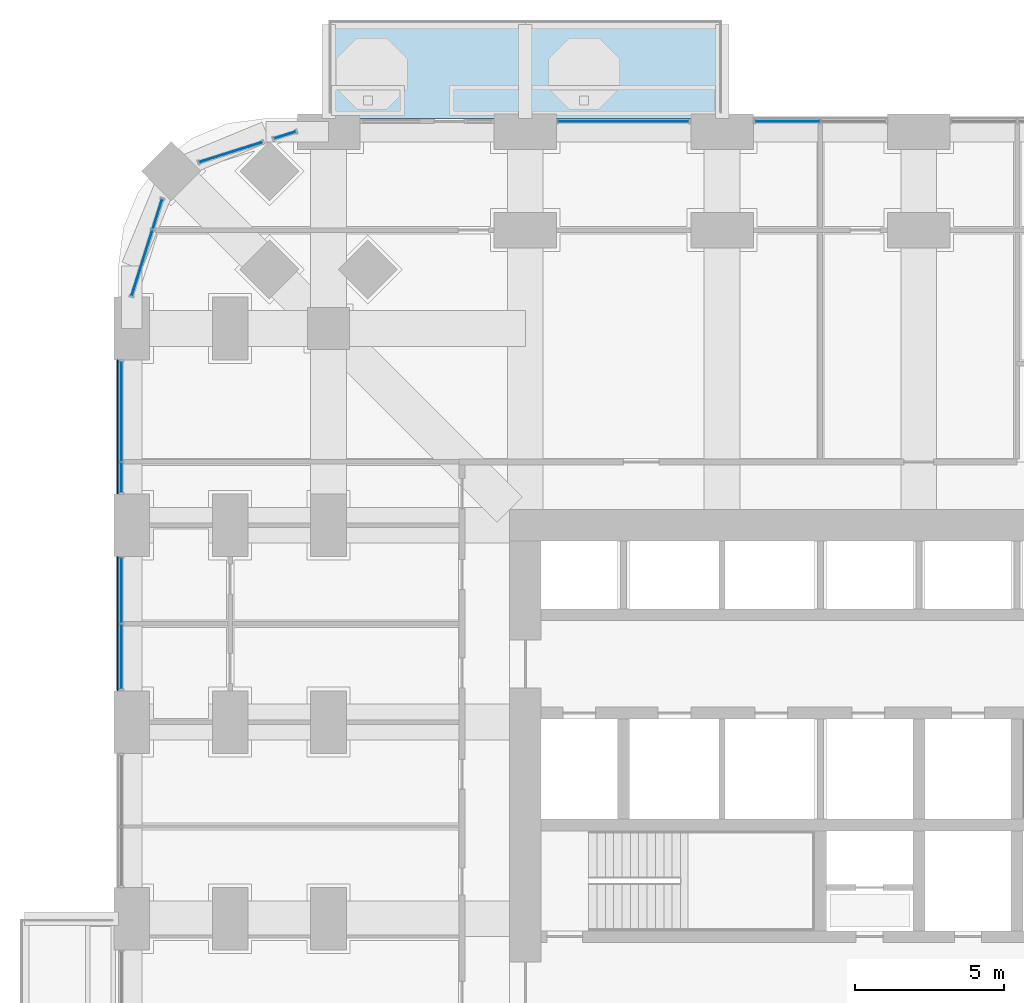
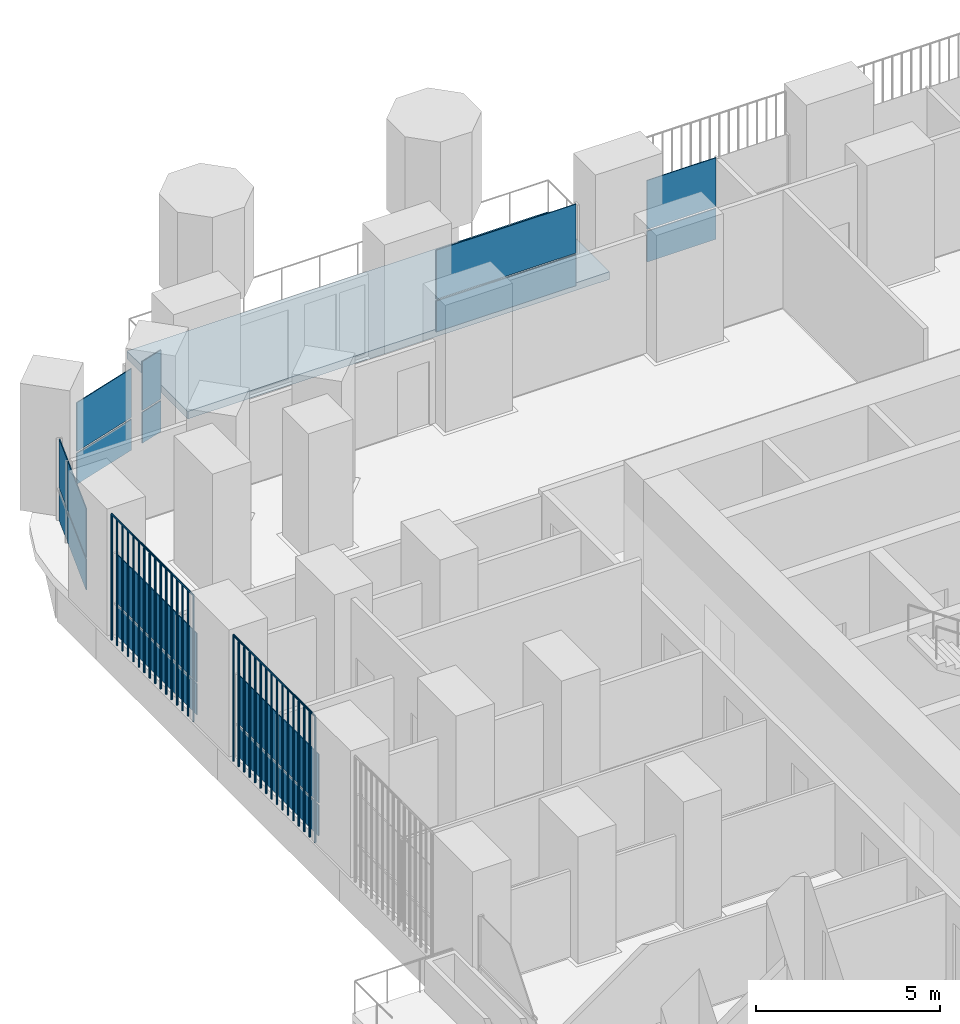
# One storey, part 15 of 27: 22 plates, 1 slab, 7 elements without a shape of their own.
"""IFC4 building model written with IfcOpenShell, lengths in metres."""

from ifc_helpers import new_model, si_unit, direction, frame, origin, origin_2d, place, context, subcontext, project, spatial, polyline, rectangle, outline, extrude, material, layer, layer_set, type_object, element, aggregate, save


model = new_model("IFC4")

# Units and contexts
model_context = context("Model", 3, precision=1e-05, world=origin(), true_north=direction((0.0, 1.0)))
body_context = subcontext(model_context, "Body", "Model", "MODEL_VIEW")
ifc_project = project(units=[si_unit("LENGTHUNIT", "METRE"), si_unit("AREAUNIT", "SQUARE_METRE"), si_unit("VOLUMEUNIT", "CUBIC_METRE"), si_unit("PLANEANGLEUNIT", "RADIAN"), si_unit("MASSUNIT", "GRAM", prefix="KILO")], contexts=[model_context])

# Site, building, storey
site_placement = place(None, origin())
site = spatial("IfcSite", under=ifc_project, at=site_placement, CompositionType="ELEMENT")
building_placement = place(site_placement, origin())
building = spatial("IfcBuilding", under=site, at=building_placement, Name="Cobogo Forest Laboratory Tower", CompositionType="ELEMENT")
storey_placement = place(building_placement, frame((0.0, 0.0, 38.10009765625)))
storey = spatial("IfcBuildingStorey", under=building, at=storey_placement, Name="L08", CompositionType="ELEMENT", Elevation=38.10009765625)

# Slab
ifc_material_1 = material(Name="Concrete HA-40 (C40/50)", Category="concrete")
ifc_layer_1 = layer(ifc_material_1, 0.25)
ifc_layer_set_1 = layer_set([ifc_layer_1], Name="Balcony slab 250")
slab_type = type_object("IfcSlabType", Name="Balcony slab 250", PredefinedType="FLOOR", material=ifc_layer_set_1)
slab_placement = place(storey_placement, frame((0.0, 0.0, -0.25)))
element("IfcSlab", 1, at=slab_placement, inside=storey, type_object=slab_type, Name="Balcony BAL-N1 L08", PredefinedType="FLOOR", context=body_context, shape_type="SweptSolid", body=[
    extrude(outline(polyline([(6.60009765625, 46.64990234375), (19.800048828125, 46.64990234375), (19.800048828125, 49.949951171875), (6.60009765625, 49.949951171875), (6.60009765625, 46.64990234375)])), origin(), (0.0, 0.0, 1.0), 0.25),
])

# Curtain wall, plates
ifc_material_2 = material(Name="Aluminium curtain wall", Category="aluminium")
curtain_wall_type = type_object("IfcCurtainWallType", Name="CW-1 unitised curtain wall, clear glazing, laboratory floors zones A and B", PredefinedType="USERDEFINED", material=ifc_material_2)
curtain_wall_1_placement = place(storey_placement, origin())
curtain_wall_1 = element("IfcCurtainWall", 2, at=curtain_wall_1_placement, inside=storey, type_object=curtain_wall_type, Name="Curtain wall 21 L08", ObjectType="UNITISED CURTAIN WALL", PredefinedType="USERDEFINED")
ifc_material_3 = material(Name="Clear insulated glass", Category="glass")
ifc_layer_2 = layer(ifc_material_3, 0.028076171875)
ifc_layer_set_2 = layer_set([ifc_layer_2], Name="GP-1 clear insulated glass unit 28")
plate_type_1 = type_object("IfcPlateType", Name="GP-1 clear insulated glass unit 28", PredefinedType="CURTAIN_PANEL", material=ifc_layer_set_2)
plate_1_placement = place(storey_placement, frame((21.989990234375, 46.550048828125, 0.0), z_axis=(0.0, 0.0, 1.0), x_axis=(-1.0, 0.0, 0.0)))
plate_1 = element("IfcPlate", 3, at=plate_1_placement, type_object=plate_type_1, Name="CW-1 panel 2.1", PredefinedType="CURTAIN_PANEL", context=body_context, shape_type="SweptSolid", body=[
    extrude(rectangle(XDim=2.159912109375, YDim=0.028076171875, at=origin_2d()), origin(), (0.0, 0.0, 1.0), 1.02001953125),
])
plate_2_placement = place(storey_placement, frame((21.989990234375, 46.550048828125, 1.079833984375), z_axis=(0.0, 0.0, 1.0), x_axis=(-1.0, 0.0, 0.0)))
plate_2 = element("IfcPlate", 4, at=plate_2_placement, type_object=plate_type_1, Name="CW-1 panel 2.2", PredefinedType="CURTAIN_PANEL", context=body_context, shape_type="SweptSolid", body=[
    extrude(rectangle(XDim=2.159912109375, YDim=0.028076171875, at=origin_2d()), origin(), (0.0, 0.0, 1.0), 1.6201171875),
])
aggregate(curtain_wall_1, [plate_1, plate_2])

curtain_wall_2_placement = place(storey_placement, origin())
curtain_wall_2 = element("IfcCurtainWall", 5, at=curtain_wall_2_placement, inside=storey, type_object=curtain_wall_type, Name="Curtain wall 22 L08", ObjectType="UNITISED CURTAIN WALL", PredefinedType="USERDEFINED")
plate_3_placement = place(storey_placement, frame((16.5, 46.550048828125, 0.0), z_axis=(0.0, 0.0, 1.0), x_axis=(-1.0, 0.0, 0.0)))
plate_3 = element("IfcPlate", 6, at=plate_3_placement, type_object=plate_type_1, Name="CW-1 panel 1.1", PredefinedType="CURTAIN_PANEL", context=body_context, shape_type="SweptSolid", body=[
    extrude(rectangle(XDim=4.3798828125, YDim=0.028076171875, at=origin_2d()), origin(), (0.0, 0.0, 1.0), 1.02001953125),
])
plate_4_placement = place(storey_placement, frame((16.5, 46.550048828125, 1.079833984375), z_axis=(0.0, 0.0, 1.0), x_axis=(-1.0, 0.0, 0.0)))
plate_4 = element("IfcPlate", 7, at=plate_4_placement, type_object=plate_type_1, Name="CW-1 panel 1.2", PredefinedType="CURTAIN_PANEL", context=body_context, shape_type="SweptSolid", body=[
    extrude(rectangle(XDim=4.3798828125, YDim=0.028076171875, at=origin_2d()), origin(), (0.0, 0.0, 1.0), 1.6201171875),
])
aggregate(curtain_wall_2, [plate_3, plate_4])

curtain_wall_3_placement = place(storey_placement, origin())
curtain_wall_3 = element("IfcCurtainWall", 8, at=curtain_wall_3_placement, inside=storey, type_object=curtain_wall_type, Name="Curtain wall 24 L08", ObjectType="UNITISED CURTAIN WALL", PredefinedType="USERDEFINED")
plate_5_placement = place(storey_placement, frame((5.134033203125, 46.087158203125, 0.0), z_axis=(0.0, 0.0, 1.0), x_axis=(-0.953581504428, -0.301135043481, 0.0)))
plate_5 = element("IfcPlate", 9, at=plate_5_placement, type_object=plate_type_1, Name="CW-1 panel 1.1", PredefinedType="CURTAIN_PANEL", context=body_context, shape_type="SweptSolid", body=[
    extrude(rectangle(XDim=0.75244140625, YDim=0.028076171875, at=origin_2d()), origin(), (0.0, 0.0, 1.0), 1.02001953125),
])
plate_6_placement = place(storey_placement, frame((5.134033203125, 46.087158203125, 1.079833984375), z_axis=(0.0, 0.0, 1.0), x_axis=(-0.953581504428, -0.301135043481, 0.0)))
plate_6 = element("IfcPlate", 10, at=plate_6_placement, type_object=plate_type_1, Name="CW-1 panel 1.2", PredefinedType="CURTAIN_PANEL", context=body_context, shape_type="SweptSolid", body=[
    extrude(rectangle(XDim=0.75244140625, YDim=0.028076171875, at=origin_2d()), origin(), (0.0, 0.0, 1.0), 1.6201171875),
])
aggregate(curtain_wall_3, [plate_5, plate_6])

curtain_wall_4_placement = place(storey_placement, origin())
curtain_wall_4 = element("IfcCurtainWall", 11, at=curtain_wall_4_placement, inside=storey, type_object=curtain_wall_type, Name="Curtain wall 25 L08", ObjectType="UNITISED CURTAIN WALL", PredefinedType="USERDEFINED")
plate_7_placement = place(storey_placement, frame((3.31787109375, 45.513427734375, 0.0), z_axis=(0.0, 0.0, 1.0), x_axis=(-0.953581409645, -0.301135343623, 0.0)))
plate_7 = element("IfcPlate", 12, at=plate_7_placement, type_object=plate_type_1, Name="CW-1 panel 1.1", PredefinedType="CURTAIN_PANEL", context=body_context, shape_type="SweptSolid", body=[
    extrude(rectangle(XDim=2.203369140625, YDim=0.028076171875, at=origin_2d()), origin(), (0.0, 0.0, 1.0), 1.02001953125),
])
plate_8_placement = place(storey_placement, frame((3.31787109375, 45.513427734375, 1.079833984375), z_axis=(0.0, 0.0, 1.0), x_axis=(-0.953581409645, -0.301135343623, 0.0)))
plate_8 = element("IfcPlate", 13, at=plate_8_placement, type_object=plate_type_1, Name="CW-1 panel 1.2", PredefinedType="CURTAIN_PANEL", context=body_context, shape_type="SweptSolid", body=[
    extrude(rectangle(XDim=2.203369140625, YDim=0.028076171875, at=origin_2d()), origin(), (0.0, 0.0, 1.0), 1.6201171875),
])
aggregate(curtain_wall_4, [plate_7, plate_8])

curtain_wall_5_placement = place(storey_placement, origin())
curtain_wall_5 = element("IfcCurtainWall", 14, at=curtain_wall_5_placement, inside=storey, type_object=curtain_wall_type, Name="Curtain wall 26 L08", ObjectType="UNITISED CURTAIN WALL", PredefinedType="USERDEFINED")
plate_9_placement = place(storey_placement, frame((0.863525390625, 43.442626953125, 0.0), z_axis=(0.0, 0.0, 1.0), x_axis=(-0.30113535792, -0.95358140513, 0.0)))
plate_9 = element("IfcPlate", 15, at=plate_9_placement, type_object=plate_type_1, Name="CW-1 panel 1.1", PredefinedType="CURTAIN_PANEL", context=body_context, shape_type="SweptSolid", body=[
    extrude(rectangle(XDim=1.027587890625, YDim=0.028076171875, at=origin_2d()), origin(), (0.0, 0.0, 1.0), 1.02001953125),
])
plate_10_placement = place(storey_placement, frame((0.863525390625, 43.442626953125, 1.079833984375), z_axis=(0.0, 0.0, 1.0), x_axis=(-0.30113535792, -0.95358140513, 0.0)))
plate_10 = element("IfcPlate", 16, at=plate_10_placement, type_object=plate_type_1, Name="CW-1 panel 1.2", PredefinedType="CURTAIN_PANEL", context=body_context, shape_type="SweptSolid", body=[
    extrude(rectangle(XDim=1.027587890625, YDim=0.028076171875, at=origin_2d()), origin(), (0.0, 0.0, 1.0), 1.6201171875),
])
plate_11_placement = place(storey_placement, frame((0.34521484375, 41.80126953125, 0.0), z_axis=(0.0, 0.0, 1.0), x_axis=(-0.30113535792, -0.95358140513, 0.0)))
plate_11 = element("IfcPlate", 17, at=plate_11_placement, type_object=plate_type_1, Name="CW-1 panel 2.1", PredefinedType="CURTAIN_PANEL", context=body_context, shape_type="SweptSolid", body=[
    extrude(rectangle(XDim=2.294677734375, YDim=0.028076171875, at=origin_2d()), origin(), (0.0, 0.0, 1.0), 1.02001953125),
])
plate_12_placement = place(storey_placement, frame((0.34521484375, 41.80126953125, 1.079833984375), z_axis=(0.0, 0.0, 1.0), x_axis=(-0.30113535792, -0.95358140513, 0.0)))
plate_12 = element("IfcPlate", 18, at=plate_12_placement, type_object=plate_type_1, Name="CW-1 panel 2.2", PredefinedType="CURTAIN_PANEL", context=body_context, shape_type="SweptSolid", body=[
    extrude(rectangle(XDim=2.294677734375, YDim=0.028076171875, at=origin_2d()), origin(), (0.0, 0.0, 1.0), 1.6201171875),
])
aggregate(curtain_wall_5, [plate_9, plate_10, plate_11, plate_12])

curtain_wall_6_placement = place(storey_placement, origin())
curtain_wall_6 = element("IfcCurtainWall", 19, at=curtain_wall_6_placement, inside=storey, type_object=curtain_wall_type, Name="Curtain wall 27 L08", ObjectType="UNITISED CURTAIN WALL", PredefinedType="USERDEFINED")
plate_13_placement = place(storey_placement, frame((-0.35009765625, 36.822509765625, 0.0), z_axis=(0.0, 0.0, 1.0), x_axis=(0.0, -1.0, 0.0)))
plate_13 = element("IfcPlate", 20, at=plate_13_placement, type_object=plate_type_1, Name="CW-1 panel 1.1", PredefinedType="CURTAIN_PANEL", context=body_context, shape_type="SweptSolid", body=[
    extrude(rectangle(XDim=3.3349609375, YDim=0.028076171875, at=origin_2d()), origin(), (0.0, 0.0, 1.0), 1.02001953125),
])
plate_14_placement = place(storey_placement, frame((-0.35009765625, 36.822509765625, 1.079833984375), z_axis=(0.0, 0.0, 1.0), x_axis=(0.0, -1.0, 0.0)))
plate_14 = element("IfcPlate", 21, at=plate_14_placement, type_object=plate_type_1, Name="CW-1 panel 1.2", PredefinedType="CURTAIN_PANEL", context=body_context, shape_type="SweptSolid", body=[
    extrude(rectangle(XDim=3.3349609375, YDim=0.028076171875, at=origin_2d()), origin(), (0.0, 0.0, 1.0), 1.6201171875),
])
plate_15_placement = place(storey_placement, frame((-0.35009765625, 34.6025390625, 0.0), z_axis=(0.0, 0.0, 1.0), x_axis=(0.0, -1.0, 0.0)))
plate_15 = element("IfcPlate", 22, at=plate_15_placement, type_object=plate_type_1, Name="CW-1 panel 2.1", PredefinedType="CURTAIN_PANEL", context=body_context, shape_type="SweptSolid", body=[
    extrude(rectangle(XDim=0.985107421875, YDim=0.028076171875, at=origin_2d()), origin(), (0.0, 0.0, 1.0), 1.02001953125),
])
plate_16_placement = place(storey_placement, frame((-0.35009765625, 34.6025390625, 1.079833984375), z_axis=(0.0, 0.0, 1.0), x_axis=(0.0, -1.0, 0.0)))
plate_16 = element("IfcPlate", 23, at=plate_16_placement, type_object=plate_type_1, Name="CW-1 panel 2.2", PredefinedType="CURTAIN_PANEL", context=body_context, shape_type="SweptSolid", body=[
    extrude(rectangle(XDim=0.985107421875, YDim=0.028076171875, at=origin_2d()), origin(), (0.0, 0.0, 1.0), 1.6201171875),
])
aggregate(curtain_wall_6, [plate_13, plate_14, plate_15, plate_16])

curtain_wall_7_placement = place(storey_placement, origin())
curtain_wall_7 = element("IfcCurtainWall", 24, at=curtain_wall_7_placement, inside=storey, type_object=curtain_wall_type, Name="Curtain wall 28 L08", ObjectType="UNITISED CURTAIN WALL", PredefinedType="USERDEFINED")
plate_17_placement = place(storey_placement, frame((-0.35009765625, 30.81005859375, 0.0), z_axis=(0.0, 0.0, 1.0), x_axis=(0.0, -1.0, 0.0)))
plate_17 = element("IfcPlate", 25, at=plate_17_placement, type_object=plate_type_1, Name="CW-1 panel 1.1", PredefinedType="CURTAIN_PANEL", context=body_context, shape_type="SweptSolid", body=[
    extrude(rectangle(XDim=2.159912109375, YDim=0.028076171875, at=origin_2d()), origin(), (0.0, 0.0, 1.0), 1.02001953125),
])
plate_18_placement = place(storey_placement, frame((-0.35009765625, 30.81005859375, 1.079833984375), z_axis=(0.0, 0.0, 1.0), x_axis=(0.0, -1.0, 0.0)))
plate_18 = element("IfcPlate", 26, at=plate_18_placement, type_object=plate_type_1, Name="CW-1 panel 1.2", PredefinedType="CURTAIN_PANEL", context=body_context, shape_type="SweptSolid", body=[
    extrude(rectangle(XDim=2.159912109375, YDim=0.028076171875, at=origin_2d()), origin(), (0.0, 0.0, 1.0), 1.6201171875),
])
plate_19_placement = place(storey_placement, frame((-0.35009765625, 28.590087890625, 0.0), z_axis=(0.0, 0.0, 1.0), x_axis=(0.0, -1.0, 0.0)))
plate_19 = element("IfcPlate", 27, at=plate_19_placement, type_object=plate_type_1, Name="CW-1 panel 2.1", PredefinedType="CURTAIN_PANEL", context=body_context, shape_type="SweptSolid", body=[
    extrude(rectangle(XDim=2.159912109375, YDim=0.028076171875, at=origin_2d()), origin(), (0.0, 0.0, 1.0), 1.02001953125),
])
plate_20_placement = place(storey_placement, frame((-0.35009765625, 28.590087890625, 1.079833984375), z_axis=(0.0, 0.0, 1.0), x_axis=(0.0, -1.0, 0.0)))
plate_20 = element("IfcPlate", 28, at=plate_20_placement, type_object=plate_type_1, Name="CW-1 panel 2.2", PredefinedType="CURTAIN_PANEL", context=body_context, shape_type="SweptSolid", body=[
    extrude(rectangle(XDim=2.159912109375, YDim=0.028076171875, at=origin_2d()), origin(), (0.0, 0.0, 1.0), 1.6201171875),
])
aggregate(curtain_wall_7, [plate_17, plate_18, plate_19, plate_20])

# Plates
ifc_material_4 = material(Name="Terracotta", Category="masonry")
plate_type_2 = type_object("IfcPlateType", Name="TB1 terracotta baguette screen", PredefinedType="USERDEFINED", material=ifc_material_4)
plate_21_placement = place(storey_placement, frame((-0.477783203125, 27.481201171875, -0.150146484375)))
element("IfcPlate", 29, at=plate_21_placement, inside=storey, type_object=plate_type_2, Name="Baguette screen W4 L08", ObjectType="BAGUETTE SCREEN", PredefinedType="USERDEFINED", context=body_context, shape_type="SweptSolid", body=[
    extrude(outline(polyline([(0.02880859375, 0.011962890625), (0.011962890625, 0.02880859375), (-0.011962890625, 0.02880859375), (-0.02880859375, 0.011962890625), (-0.02880859375, -0.011962890625), (-0.011962890625, -0.02880859375), (0.011962890625, -0.02880859375), (0.02880859375, -0.011962890625), (0.02880859375, 0.011962890625)])), frame((0.0, 0.0, 4.168701171875), z_axis=(0.0, 1.0, 0.0), x_axis=(-1.0, 0.0, 0.0)), (0.0, 0.0, 1.0), 4.4375),
    extrude(outline(polyline([(0.02880859375, 0.011962890625), (0.011962890625, 0.02880859375), (-0.011962890625, 0.02880859375), (-0.02880859375, 0.011962890625), (-0.02880859375, -0.011962890625), (-0.011962890625, -0.02880859375), (0.011962890625, -0.02880859375), (0.02880859375, -0.011962890625), (0.02880859375, 0.011962890625)])), origin(), (0.0, 0.0, 1.0), 4.137451171875),
    extrude(outline(polyline([(0.02880859375, 0.011962890625), (0.011962890625, 0.02880859375), (-0.011962890625, 0.02880859375), (-0.02880859375, 0.011962890625), (-0.02880859375, -0.011962890625), (-0.011962890625, -0.02880859375), (0.011962890625, -0.02880859375), (0.02880859375, -0.011962890625), (0.02880859375, 0.011962890625)])), frame((0.0, 0.2958984375, 0.0)), (0.0, 0.0, 1.0), 4.137451171875),
    extrude(outline(polyline([(0.02880859375, 0.011962890625), (0.011962890625, 0.02880859375), (-0.011962890625, 0.02880859375), (-0.02880859375, 0.011962890625), (-0.02880859375, -0.011962890625), (-0.011962890625, -0.02880859375), (0.011962890625, -0.02880859375), (0.02880859375, -0.011962890625), (0.02880859375, 0.011962890625)])), frame((0.0, 0.591552734375, 0.0)), (0.0, 0.0, 1.0), 4.137451171875),
    extrude(outline(polyline([(0.02880859375, 0.011962890625), (0.011962890625, 0.02880859375), (-0.011962890625, 0.02880859375), (-0.02880859375, 0.011962890625), (-0.02880859375, -0.011962890625), (-0.011962890625, -0.02880859375), (0.011962890625, -0.02880859375), (0.02880859375, -0.011962890625), (0.02880859375, 0.011962890625)])), frame((0.0, 0.887451171875, 0.0)), (0.0, 0.0, 1.0), 4.137451171875),
    extrude(outline(polyline([(0.02880859375, 0.011962890625), (0.011962890625, 0.02880859375), (-0.011962890625, 0.02880859375), (-0.02880859375, 0.011962890625), (-0.02880859375, -0.011962890625), (-0.011962890625, -0.02880859375), (0.011962890625, -0.02880859375), (0.02880859375, -0.011962890625), (0.02880859375, 0.011962890625)])), frame((0.0, 1.183349609375, 0.0)), (0.0, 0.0, 1.0), 4.137451171875),
    extrude(outline(polyline([(0.02880859375, 0.011962890625), (0.011962890625, 0.02880859375), (-0.011962890625, 0.02880859375), (-0.02880859375, 0.011962890625), (-0.02880859375, -0.011962890625), (-0.011962890625, -0.02880859375), (0.011962890625, -0.02880859375), (0.02880859375, -0.011962890625), (0.02880859375, 0.011962890625)])), frame((0.0, 1.479248046875, 0.0)), (0.0, 0.0, 1.0), 4.137451171875),
    extrude(outline(polyline([(0.02880859375, 0.011962890625), (0.011962890625, 0.02880859375), (-0.011962890625, 0.02880859375), (-0.02880859375, 0.011962890625), (-0.02880859375, -0.011962890625), (-0.011962890625, -0.02880859375), (0.011962890625, -0.02880859375), (0.02880859375, -0.011962890625), (0.02880859375, 0.011962890625)])), frame((0.0, 1.77490234375, 0.0)), (0.0, 0.0, 1.0), 4.137451171875),
    extrude(outline(polyline([(0.02880859375, 0.011962890625), (0.011962890625, 0.02880859375), (-0.011962890625, 0.02880859375), (-0.02880859375, 0.011962890625), (-0.02880859375, -0.011962890625), (-0.011962890625, -0.02880859375), (0.011962890625, -0.02880859375), (0.02880859375, -0.011962890625), (0.02880859375, 0.011962890625)])), frame((0.0, 2.07080078125, 0.0)), (0.0, 0.0, 1.0), 4.137451171875),
    extrude(outline(polyline([(0.02880859375, 0.011962890625), (0.011962890625, 0.02880859375), (-0.011962890625, 0.02880859375), (-0.02880859375, 0.011962890625), (-0.02880859375, -0.011962890625), (-0.011962890625, -0.02880859375), (0.011962890625, -0.02880859375), (0.02880859375, -0.011962890625), (0.02880859375, 0.011962890625)])), frame((0.0, 2.36669921875, 0.0)), (0.0, 0.0, 1.0), 4.137451171875),
    extrude(outline(polyline([(0.02880859375, 0.011962890625), (0.011962890625, 0.02880859375), (-0.011962890625, 0.02880859375), (-0.02880859375, 0.011962890625), (-0.02880859375, -0.011962890625), (-0.011962890625, -0.02880859375), (0.011962890625, -0.02880859375), (0.02880859375, -0.011962890625), (0.02880859375, 0.011962890625)])), frame((0.0, 2.66259765625, 0.0)), (0.0, 0.0, 1.0), 4.137451171875),
    extrude(outline(polyline([(0.02880859375, 0.011962890625), (0.011962890625, 0.02880859375), (-0.011962890625, 0.02880859375), (-0.02880859375, 0.011962890625), (-0.02880859375, -0.011962890625), (-0.011962890625, -0.02880859375), (0.011962890625, -0.02880859375), (0.02880859375, -0.011962890625), (0.02880859375, 0.011962890625)])), frame((0.0, 2.958251953125, 0.0)), (0.0, 0.0, 1.0), 4.137451171875),
    extrude(outline(polyline([(0.02880859375, 0.011962890625), (0.011962890625, 0.02880859375), (-0.011962890625, 0.02880859375), (-0.02880859375, 0.011962890625), (-0.02880859375, -0.011962890625), (-0.011962890625, -0.02880859375), (0.011962890625, -0.02880859375), (0.02880859375, -0.011962890625), (0.02880859375, 0.011962890625)])), frame((0.0, 3.254150390625, 0.0)), (0.0, 0.0, 1.0), 4.137451171875),
    extrude(outline(polyline([(0.02880859375, 0.011962890625), (0.011962890625, 0.02880859375), (-0.011962890625, 0.02880859375), (-0.02880859375, 0.011962890625), (-0.02880859375, -0.011962890625), (-0.011962890625, -0.02880859375), (0.011962890625, -0.02880859375), (0.02880859375, -0.011962890625), (0.02880859375, 0.011962890625)])), frame((0.0, 3.550048828125, 0.0)), (0.0, 0.0, 1.0), 4.137451171875),
    extrude(outline(polyline([(0.02880859375, 0.011962890625), (0.011962890625, 0.02880859375), (-0.011962890625, 0.02880859375), (-0.02880859375, 0.011962890625), (-0.02880859375, -0.011962890625), (-0.011962890625, -0.02880859375), (0.011962890625, -0.02880859375), (0.02880859375, -0.011962890625), (0.02880859375, 0.011962890625)])), frame((0.0, 3.845947265625, 0.0)), (0.0, 0.0, 1.0), 4.137451171875),
    extrude(outline(polyline([(0.02880859375, 0.011962890625), (0.011962890625, 0.02880859375), (-0.011962890625, 0.02880859375), (-0.02880859375, 0.011962890625), (-0.02880859375, -0.011962890625), (-0.011962890625, -0.02880859375), (0.011962890625, -0.02880859375), (0.02880859375, -0.011962890625), (0.02880859375, 0.011962890625)])), frame((0.0, 4.1416015625, 0.0)), (0.0, 0.0, 1.0), 4.137451171875),
    extrude(outline(polyline([(0.02880859375, 0.011962890625), (0.011962890625, 0.02880859375), (-0.011962890625, 0.02880859375), (-0.02880859375, 0.011962890625), (-0.02880859375, -0.011962890625), (-0.011962890625, -0.02880859375), (0.011962890625, -0.02880859375), (0.02880859375, -0.011962890625), (0.02880859375, 0.011962890625)])), frame((0.0, 4.4375, 0.0)), (0.0, 0.0, 1.0), 4.137451171875),
])
plate_22_placement = place(storey_placement, frame((-0.477783203125, 34.081298828125, -0.150146484375)))
element("IfcPlate", 30, at=plate_22_placement, inside=storey, type_object=plate_type_2, Name="Baguette screen W5 L08", ObjectType="BAGUETTE SCREEN", PredefinedType="USERDEFINED", context=body_context, shape_type="SweptSolid", body=[
    extrude(outline(polyline([(0.02880859375, 0.011962890625), (0.011962890625, 0.02880859375), (-0.011962890625, 0.02880859375), (-0.02880859375, 0.011962890625), (-0.02880859375, -0.011962890625), (-0.011962890625, -0.02880859375), (0.011962890625, -0.02880859375), (0.02880859375, -0.011962890625), (0.02880859375, 0.011962890625)])), frame((0.0, 0.0, 4.168701171875), z_axis=(0.0, 1.0, 0.0), x_axis=(-1.0, 0.0, 0.0)), (0.0, 0.0, 1.0), 4.4375),
    extrude(outline(polyline([(0.02880859375, 0.011962890625), (0.011962890625, 0.02880859375), (-0.011962890625, 0.02880859375), (-0.02880859375, 0.011962890625), (-0.02880859375, -0.011962890625), (-0.011962890625, -0.02880859375), (0.011962890625, -0.02880859375), (0.02880859375, -0.011962890625), (0.02880859375, 0.011962890625)])), origin(), (0.0, 0.0, 1.0), 4.137451171875),
    extrude(outline(polyline([(0.02880859375, 0.011962890625), (0.011962890625, 0.02880859375), (-0.011962890625, 0.02880859375), (-0.02880859375, 0.011962890625), (-0.02880859375, -0.011962890625), (-0.011962890625, -0.02880859375), (0.011962890625, -0.02880859375), (0.02880859375, -0.011962890625), (0.02880859375, 0.011962890625)])), frame((0.0, 0.2958984375, 0.0)), (0.0, 0.0, 1.0), 4.137451171875),
    extrude(outline(polyline([(0.02880859375, 0.011962890625), (0.011962890625, 0.02880859375), (-0.011962890625, 0.02880859375), (-0.02880859375, 0.011962890625), (-0.02880859375, -0.011962890625), (-0.011962890625, -0.02880859375), (0.011962890625, -0.02880859375), (0.02880859375, -0.011962890625), (0.02880859375, 0.011962890625)])), frame((0.0, 0.591552734375, 0.0)), (0.0, 0.0, 1.0), 4.137451171875),
    extrude(outline(polyline([(0.02880859375, 0.011962890625), (0.011962890625, 0.02880859375), (-0.011962890625, 0.02880859375), (-0.02880859375, 0.011962890625), (-0.02880859375, -0.011962890625), (-0.011962890625, -0.02880859375), (0.011962890625, -0.02880859375), (0.02880859375, -0.011962890625), (0.02880859375, 0.011962890625)])), frame((0.0, 0.887451171875, 0.0)), (0.0, 0.0, 1.0), 4.137451171875),
    extrude(outline(polyline([(0.02880859375, 0.011962890625), (0.011962890625, 0.02880859375), (-0.011962890625, 0.02880859375), (-0.02880859375, 0.011962890625), (-0.02880859375, -0.011962890625), (-0.011962890625, -0.02880859375), (0.011962890625, -0.02880859375), (0.02880859375, -0.011962890625), (0.02880859375, 0.011962890625)])), frame((0.0, 1.183349609375, 0.0)), (0.0, 0.0, 1.0), 4.137451171875),
    extrude(outline(polyline([(0.02880859375, 0.011962890625), (0.011962890625, 0.02880859375), (-0.011962890625, 0.02880859375), (-0.02880859375, 0.011962890625), (-0.02880859375, -0.011962890625), (-0.011962890625, -0.02880859375), (0.011962890625, -0.02880859375), (0.02880859375, -0.011962890625), (0.02880859375, 0.011962890625)])), frame((0.0, 1.479248046875, 0.0)), (0.0, 0.0, 1.0), 4.137451171875),
    extrude(outline(polyline([(0.02880859375, 0.011962890625), (0.011962890625, 0.02880859375), (-0.011962890625, 0.02880859375), (-0.02880859375, 0.011962890625), (-0.02880859375, -0.011962890625), (-0.011962890625, -0.02880859375), (0.011962890625, -0.02880859375), (0.02880859375, -0.011962890625), (0.02880859375, 0.011962890625)])), frame((0.0, 1.77490234375, 0.0)), (0.0, 0.0, 1.0), 4.137451171875),
    extrude(outline(polyline([(0.02880859375, 0.011962890625), (0.011962890625, 0.02880859375), (-0.011962890625, 0.02880859375), (-0.02880859375, 0.011962890625), (-0.02880859375, -0.011962890625), (-0.011962890625, -0.02880859375), (0.011962890625, -0.02880859375), (0.02880859375, -0.011962890625), (0.02880859375, 0.011962890625)])), frame((0.0, 2.07080078125, 0.0)), (0.0, 0.0, 1.0), 4.137451171875),
    extrude(outline(polyline([(0.02880859375, 0.011962890625), (0.011962890625, 0.02880859375), (-0.011962890625, 0.02880859375), (-0.02880859375, 0.011962890625), (-0.02880859375, -0.011962890625), (-0.011962890625, -0.02880859375), (0.011962890625, -0.02880859375), (0.02880859375, -0.011962890625), (0.02880859375, 0.011962890625)])), frame((0.0, 2.36669921875, 0.0)), (0.0, 0.0, 1.0), 4.137451171875),
    extrude(outline(polyline([(0.02880859375, 0.011962890625), (0.011962890625, 0.02880859375), (-0.011962890625, 0.02880859375), (-0.02880859375, 0.011962890625), (-0.02880859375, -0.011962890625), (-0.011962890625, -0.02880859375), (0.011962890625, -0.02880859375), (0.02880859375, -0.011962890625), (0.02880859375, 0.011962890625)])), frame((0.0, 2.66259765625, 0.0)), (0.0, 0.0, 1.0), 4.137451171875),
    extrude(outline(polyline([(0.02880859375, 0.011962890625), (0.011962890625, 0.02880859375), (-0.011962890625, 0.02880859375), (-0.02880859375, 0.011962890625), (-0.02880859375, -0.011962890625), (-0.011962890625, -0.02880859375), (0.011962890625, -0.02880859375), (0.02880859375, -0.011962890625), (0.02880859375, 0.011962890625)])), frame((0.0, 2.958251953125, 0.0)), (0.0, 0.0, 1.0), 4.137451171875),
    extrude(outline(polyline([(0.02880859375, 0.011962890625), (0.011962890625, 0.02880859375), (-0.011962890625, 0.02880859375), (-0.02880859375, 0.011962890625), (-0.02880859375, -0.011962890625), (-0.011962890625, -0.02880859375), (0.011962890625, -0.02880859375), (0.02880859375, -0.011962890625), (0.02880859375, 0.011962890625)])), frame((0.0, 3.254150390625, 0.0)), (0.0, 0.0, 1.0), 4.137451171875),
    extrude(outline(polyline([(0.02880859375, 0.011962890625), (0.011962890625, 0.02880859375), (-0.011962890625, 0.02880859375), (-0.02880859375, 0.011962890625), (-0.02880859375, -0.011962890625), (-0.011962890625, -0.02880859375), (0.011962890625, -0.02880859375), (0.02880859375, -0.011962890625), (0.02880859375, 0.011962890625)])), frame((0.0, 3.550048828125, 0.0)), (0.0, 0.0, 1.0), 4.137451171875),
    extrude(outline(polyline([(0.02880859375, 0.011962890625), (0.011962890625, 0.02880859375), (-0.011962890625, 0.02880859375), (-0.02880859375, 0.011962890625), (-0.02880859375, -0.011962890625), (-0.011962890625, -0.02880859375), (0.011962890625, -0.02880859375), (0.02880859375, -0.011962890625), (0.02880859375, 0.011962890625)])), frame((0.0, 3.845947265625, 0.0)), (0.0, 0.0, 1.0), 4.137451171875),
    extrude(outline(polyline([(0.02880859375, 0.011962890625), (0.011962890625, 0.02880859375), (-0.011962890625, 0.02880859375), (-0.02880859375, 0.011962890625), (-0.02880859375, -0.011962890625), (-0.011962890625, -0.02880859375), (0.011962890625, -0.02880859375), (0.02880859375, -0.011962890625), (0.02880859375, 0.011962890625)])), frame((0.0, 4.1416015625, 0.0)), (0.0, 0.0, 1.0), 4.137451171875),
    extrude(outline(polyline([(0.02880859375, 0.011962890625), (0.011962890625, 0.02880859375), (-0.011962890625, 0.02880859375), (-0.02880859375, 0.011962890625), (-0.02880859375, -0.011962890625), (-0.011962890625, -0.02880859375), (0.011962890625, -0.02880859375), (0.02880859375, -0.011962890625), (0.02880859375, 0.011962890625)])), frame((0.0, 4.4375, 0.0)), (0.0, 0.0, 1.0), 4.137451171875),
])

save(model, "model.ifc")
